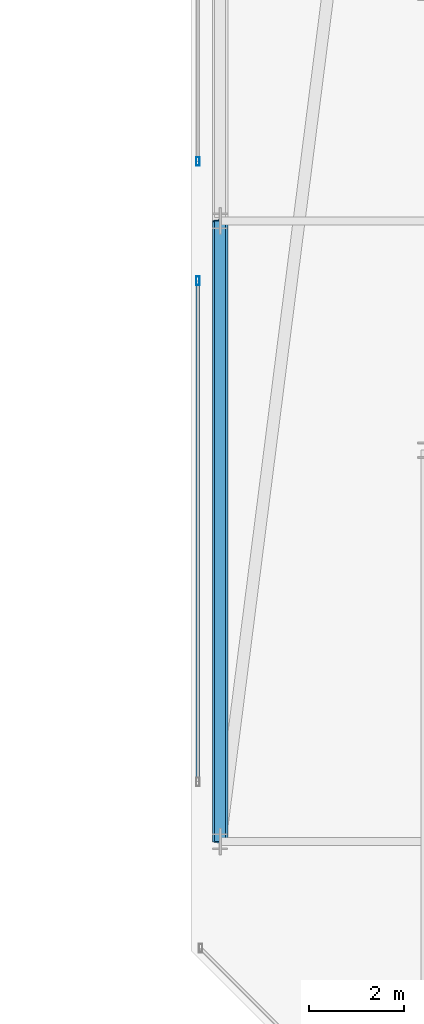
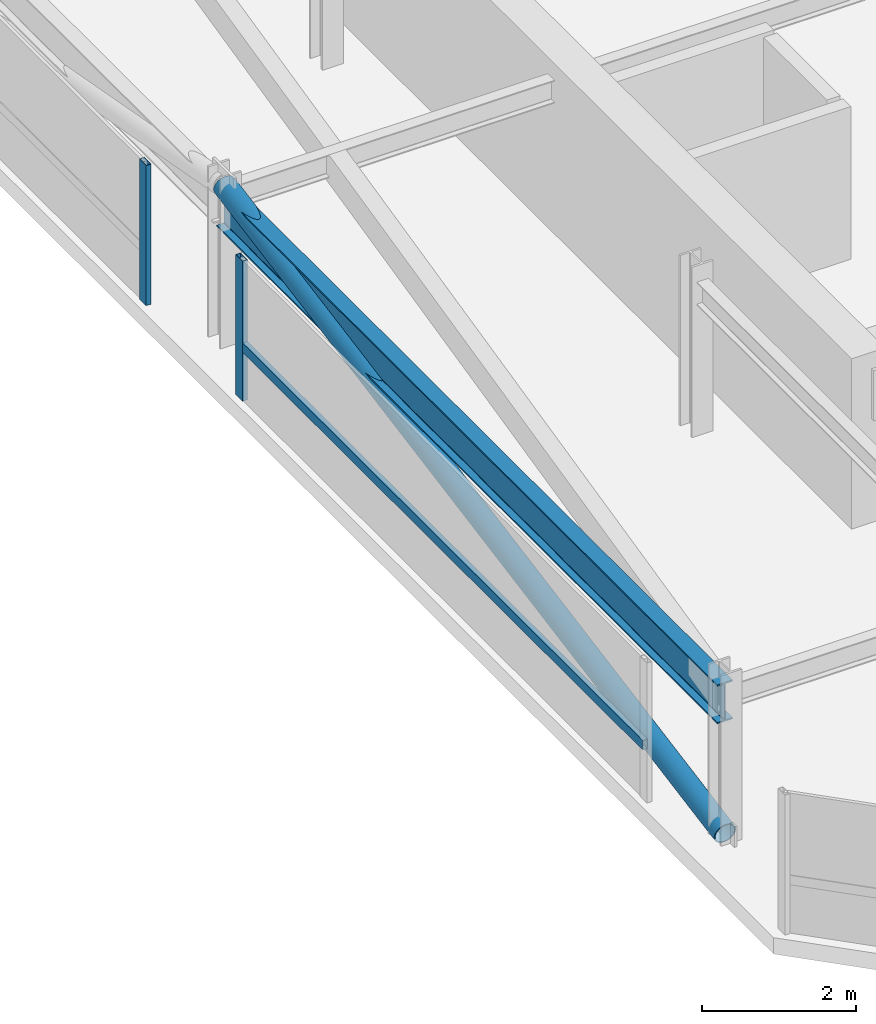
# One storey, part 20 of 42: 4 members, 1 beam, 2 elements without a shape of their own.
"""IFC4 building model written with IfcOpenShell, lengths in metres."""

from ifc_helpers import new_model, si_unit, direction, frame, origin, origin_2d, place, context, subcontext, project, spatial, hollow_rectangle, hollow_circle, i_section, extrude, material, material_profile, profile_set, type_object, element, aggregate, save


model = new_model("IFC4")

# Units and contexts
model_context = context("Model", 3, precision=1e-05, world=origin(), true_north=direction((0.0, 1.0)))
body_context = subcontext(model_context, "Body", "Model", "MODEL_VIEW")
ifc_project = project(units=[si_unit("LENGTHUNIT", "METRE"), si_unit("AREAUNIT", "SQUARE_METRE"), si_unit("VOLUMEUNIT", "CUBIC_METRE"), si_unit("PLANEANGLEUNIT", "RADIAN"), si_unit("MASSUNIT", "GRAM", prefix="KILO")], contexts=[model_context])

# Site, building, storey
site_placement = place(None, origin())
site = spatial("IfcSite", under=ifc_project, at=site_placement, CompositionType="ELEMENT")
building_placement = place(site_placement, origin())
building = spatial("IfcBuilding", under=site, at=building_placement, Name="Thornwick Lancets Civic Towers", CompositionType="ELEMENT")
storey_placement = place(building_placement, frame((0.0, 0.0, 284.10009765625)))
storey = spatial("IfcBuildingStorey", under=building, at=storey_placement, Name="C02", CompositionType="ELEMENT", Elevation=284.10009765625)

# Beam
ifc_material_1 = material(Name="Steel S355JR", Category="steel")
ifc_material_profile_1 = material_profile(ifc_material_1, i_section(OverallWidth=0.230224609375, OverallDepth=0.6171875, WebThickness=0.01318359375, FlangeThickness=0.022216796875, FilletRadius=0.0126953125, at=origin_2d()), Name="UKB 610x229x140")
ifc_profile_set_1 = profile_set([ifc_material_profile_1], Name="Steel S355JR")
beam_type = type_object("IfcBeamType", Name="BM_GIRD_610_140", PredefinedType="BEAM", material=ifc_profile_set_1)
beam_placement = place(storey_placement, frame((71.199951171875, 14.0, 2.13134765625), z_axis=(0.0, 1.0, 0.0), x_axis=(-1.0, 0.0, 0.0)))
element("IfcBeam", 1, at=beam_placement, inside=storey, type_object=beam_type, Name="BM-SPINE-C02-B-6-7", PredefinedType="BEAM", context=body_context, shape_type="SweptSolid", body=[
    extrude(i_section(OverallWidth=0.230224609375, OverallDepth=0.6171875, WebThickness=0.01318359375, FlangeThickness=0.022216796875, FilletRadius=0.0126953125, at=origin_2d()), origin(), (0.0, 0.0, 1.0), 13.0),
])

# Curtain wall, member
ifc_material_2 = material(Name="Crown ring acoustic-louvre and glazing screen wall", Category="glass")
curtain_wall_type = type_object("IfcCurtainWallType", Name="CW_SYS_07", PredefinedType="NOTDEFINED", material=ifc_material_2)
curtain_wall_1_placement = place(storey_placement, origin())
curtain_wall_1 = element("IfcCurtainWall", 2, at=curtain_wall_1_placement, inside=storey, type_object=curtain_wall_type, Name="C02 Curtain Wall CW-C02-B-E6-S2", PredefinedType="NOTDEFINED")
ifc_material_3 = material(Name="Thermally broken bronze aluminium S355", Category="steel")
ifc_material_profile_2 = material_profile(ifc_material_3, hollow_rectangle(XDim=0.074951171875, YDim=0.179931640625, WallThickness=0.006103515625, at=origin_2d()), Name="RHS 180x75x6")
ifc_profile_set_2 = profile_set([ifc_material_profile_2], Name="Thermally broken bronze aluminium S355")
member_type_1 = type_object("IfcMemberType", Name="CW_MUL_180", PredefinedType="MULLION", material=ifc_profile_set_2)
member_1_placement = place(storey_placement, frame((70.7353515625, 28.25, 0.0), z_axis=(0.0, 0.0, 1.0), x_axis=(1.0, 0.0, 0.0)))
member_1 = element("IfcMember", 3, at=member_1_placement, type_object=member_type_1, Name="CW-C02-B-E6-S2 Mullion 1", PredefinedType="MULLION", context=body_context, shape_type="SweptSolid", body=[
    extrude(hollow_rectangle(XDim=0.074951171875, YDim=0.179931640625, WallThickness=0.006103515625, at=origin_2d()), origin(), (0.0, 0.0, 1.0), 2.219970703125),
])
aggregate(curtain_wall_1, [member_1])

# Curtain wall, members
curtain_wall_2_placement = place(storey_placement, origin())
curtain_wall_2 = element("IfcCurtainWall", 4, at=curtain_wall_2_placement, inside=storey, type_object=curtain_wall_type, Name="C02 Curtain Wall CW-C02-B-E6-S3", PredefinedType="NOTDEFINED")
member_2_placement = place(storey_placement, frame((70.7353515625, 25.75, 0.0), z_axis=(0.0, 0.0, 1.0), x_axis=(1.0, 0.0, 0.0)))
member_2 = element("IfcMember", 5, at=member_2_placement, type_object=member_type_1, Name="CW-C02-B-E6-S3 Mullion 0", PredefinedType="MULLION", context=body_context, shape_type="SweptSolid", body=[
    extrude(hollow_rectangle(XDim=0.074951171875, YDim=0.179931640625, WallThickness=0.006103515625, at=origin_2d()), origin(), (0.0, 0.0, 1.0), 2.219970703125),
])
ifc_material_profile_3 = material_profile(ifc_material_3, hollow_rectangle(XDim=0.074951171875, YDim=0.14990234375, WallThickness=0.0048828125, at=origin_2d()), Name="RHS 150x75x5")
ifc_profile_set_3 = profile_set([ifc_material_profile_3], Name="Thermally broken bronze aluminium S355")
member_type_2 = type_object("IfcMemberType", Name="CW_TRN_150", PredefinedType="USERDEFINED", material=ifc_profile_set_3)
member_3_placement = place(storey_placement, frame((70.7353515625, 25.72998046875, 0.849853515625), z_axis=(0.0, -1.0, 0.0), x_axis=(1.0, 0.0, 0.0)))
member_3 = element("IfcMember", 6, at=member_3_placement, type_object=member_type_2, Name="CW-C02-B-E6-S3 Transom 0", ObjectType="TRANSOM", PredefinedType="USERDEFINED", context=body_context, shape_type="SweptSolid", body=[
    extrude(hollow_rectangle(XDim=0.074951171875, YDim=0.14990234375, WallThickness=0.0048828125, at=origin_2d()), origin(), (0.0, 0.0, 1.0), 10.4599609375),
])
aggregate(curtain_wall_2, [member_2, member_3])

# Member
ifc_material_profile_4 = material_profile(ifc_material_1, hollow_circle(Radius=0.161865234375, WallThickness=0.01611328125, at=origin_2d()), Name="CHS 323.9x16")
ifc_profile_set_4 = profile_set([ifc_material_profile_4], Name="Steel S355JR")
member_type_3 = type_object("IfcMemberType", Name="MEM_CROWN_CHS324", PredefinedType="BRACE", material=ifc_profile_set_4)
member_4_placement = place(storey_placement, frame((71.199951171875, 14.0, 0.0498046875), z_axis=(0.0, 0.983515136313, 0.180825818519), x_axis=(-1.0, 0.0, 0.0)))
element("IfcMember", 7, at=member_4_placement, inside=storey, type_object=member_type_3, Name="C02 Crown Ring Lancet Rib B-S2-L", PredefinedType="BRACE", context=body_context, shape_type="SweptSolid", body=[
    extrude(hollow_circle(Radius=0.161865234375, WallThickness=0.01611328125, at=origin_2d()), origin(), (0.0, 0.0, 1.0), 13.2177734375),
])

save(model, "model.ifc")
